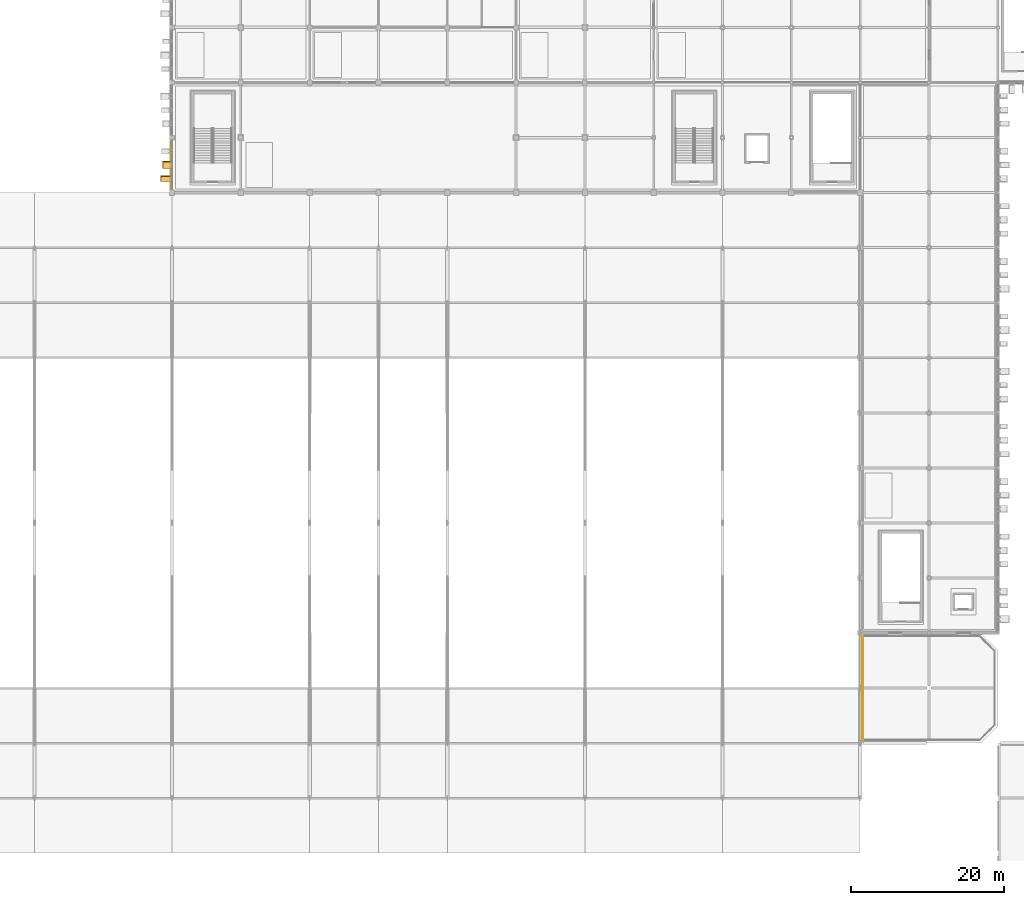
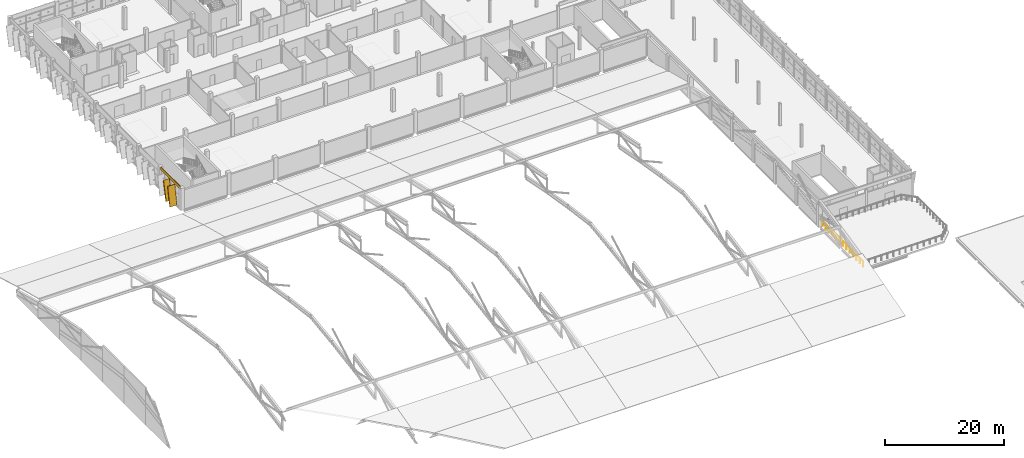
# One storey, part 113 of 124: 3 coverings, 2 shading devices, 1 railing.
"""IFC4 building model written with IfcOpenShell, lengths in metres."""

from ifc_helpers import new_model, si_unit, direction, frame, origin, origin_2d, place, context, subcontext, project, spatial, rectangle, circle, extrude, material, layer, layer_set, material_profile, profile_set, type_object, element, save


model = new_model("IFC4")

# Units and contexts
model_context = context("Model", 3, precision=1e-05, world=origin(), true_north=direction((0.0, 1.0)))
body_context = subcontext(model_context, "Body", "Model", "MODEL_VIEW")
ifc_project = project(units=[si_unit("LENGTHUNIT", "METRE"), si_unit("AREAUNIT", "SQUARE_METRE"), si_unit("VOLUMEUNIT", "CUBIC_METRE"), si_unit("PLANEANGLEUNIT", "RADIAN"), si_unit("MASSUNIT", "GRAM", prefix="KILO")], contexts=[model_context])

# Site, building, storey
site_placement = place(None, origin())
site = spatial("IfcSite", under=ifc_project, at=site_placement, CompositionType="ELEMENT")
building_placement = place(site_placement, origin())
building = spatial("IfcBuilding", under=site, at=building_placement, Name="Celestram Park Convention Centre", CompositionType="ELEMENT")
storey_placement = place(building_placement, frame((0.0, 0.0, 15.300048828125)))
storey = spatial("IfcBuildingStorey", under=building, at=storey_placement, Name="L03", CompositionType="ELEMENT", Elevation=15.300048828125)

# Coverings
ifc_material_1 = material(Name="Anodised Bronze Aluminium Spandrel Cladding", Category="aluminium")
ifc_layer_1 = layer(ifc_material_1, 0.050048828125)
ifc_layer_set_1 = layer_set([ifc_layer_1], Name="Anodised Bronze Aluminium Spandrel Cladding")
covering_type_1 = type_object("IfcCoveringType", Name="ARC-COV-CLD060", PredefinedType="CLADDING", material=ifc_layer_set_1)
covering_1_placement = place(storey_placement, frame((35.919921875, 111.60009765625, 3.9140625), z_axis=(0.0, 0.0, 1.0), x_axis=(0.0, 1.0, 0.0)))
element("IfcCovering", 1, at=covering_1_placement, inside=storey, type_object=covering_type_1, Name="Bronze spandrel cladding CL-L03-195", PredefinedType="CLADDING", context=body_context, shape_type="SweptSolid", body=[
    extrude(rectangle(XDim=6.553955078125, YDim=0.1201171875, at=origin_2d()), origin(), (0.0, 0.0, 1.0), 0.5859375),
])
ifc_material_2 = material(Name="Timber-Toned Anodised Aluminium Alloy 6063-T6", Category="wood")
ifc_material_profile_1 = material_profile(ifc_material_2, rectangle(XDim=1.1201171875, YDim=0.090087890625, at=origin_2d()), Name="REED1120X90")
ifc_profile_set_1 = profile_set([ifc_material_profile_1], Name="Timber-Toned Anodised Aluminium Alloy 6063-T6")
covering_type_2 = type_object("IfcCoveringType", Name="ARC-COV-FIN1120", PredefinedType="CLADDING", material=ifc_profile_set_1)
covering_2_placement = place(storey_placement, frame((35.360107421875, 111.1748046875, 0.057861328125), z_axis=(0.0, 0.23182731226, 0.972756956948), x_axis=(-1.0, 0.0, 0.0)))
element("IfcCovering", 2, at=covering_2_placement, inside=storey, type_object=covering_type_2, Name="Leaning timber-toned reed fin RFN-L03-0614", PredefinedType="CLADDING", context=body_context, shape_type="SweptSolid", body=[
    extrude(rectangle(XDim=1.1201171875, YDim=0.090087890625, at=origin_2d()), origin(), (0.0, 0.0, 1.0), 3.8837890625),
])
ifc_material_profile_2 = material_profile(ifc_material_2, rectangle(XDim=1.419921875, YDim=0.090087890625, at=origin_2d()), Name="REED1420X90")
ifc_profile_set_2 = profile_set([ifc_material_profile_2], Name="Timber-Toned Anodised Aluminium Alloy 6063-T6")
covering_type_3 = type_object("IfcCoveringType", Name="ARC-COV-FIN1420", PredefinedType="CLADDING", material=ifc_profile_set_2)
covering_3_placement = place(storey_placement, frame((35.2099609375, 109.474365234375, 0.036865234375), z_axis=(0.0, 0.180533625065, 0.98356881316), x_axis=(-1.0, 0.0, 0.0)))
element("IfcCovering", 3, at=covering_3_placement, inside=storey, type_object=covering_type_3, Name="Leaning timber-toned reed fin RFN-L03-0613", PredefinedType="CLADDING", context=body_context, shape_type="SweptSolid", body=[
    extrude(rectangle(XDim=1.419921875, YDim=0.090087890625, at=origin_2d()), origin(), (0.0, 0.0, 1.0), 3.8837890625),
])

# Shading devices
ifc_material_3 = material(Name="Anodised Bronze Aluminium Alloy 6063-T6", Category="aluminium")
ifc_material_profile_3 = material_profile(ifc_material_3, rectangle(XDim=1.280029296875, YDim=0.080078125, at=origin_2d()), Name="FIN1280X80")
ifc_profile_set_3 = profile_set([ifc_material_profile_3], Name="Anodised Bronze Aluminium Alloy 6063-T6")
shading_device_type = type_object("IfcShadingDeviceType", Name="ARC-FIN-BZ1280", PredefinedType="USERDEFINED", material=ifc_profile_set_3)
for number, where, z_axis, x_axis, name in (
    (4, (35.2099609375, 109.474365234375, 0.036865234375), (0.0, 0.180533625065, 0.98356881316), (-1.0, 0.0, 0.0), "Expressive solar fin FN-L03-0613"),
    (5, (35.360107421875, 111.1748046875, 0.057861328125), (0.0, 0.23182731226, 0.972756956948), (-1.0, 0.0, 0.0), "Expressive solar fin FN-L03-0614"),
):
    element("IfcShadingDevice", number, at=place(storey_placement, frame(where, z_axis=z_axis, x_axis=x_axis)), inside=storey, type_object=shading_device_type, Name=name, ObjectType="SOLAR_FIN", PredefinedType="USERDEFINED", context=body_context, shape_type="SweptSolid", body=[
        extrude(rectangle(XDim=1.280029296875, YDim=0.080078125, at=origin_2d()), origin(), (0.0, 0.0, 1.0), 3.8837890625),
    ])

# Railing
ifc_material_4 = material(Name="Stainless Steel AISI 316L & Laminated Glass", Category="steel")
ifc_layer_2 = layer(ifc_material_4, 0.06005859375)
ifc_layer_set_2 = layer_set([ifc_layer_2], Name="Stainless Steel AISI 316L & Laminated Glass")
railing_type = type_object("IfcRailingType", Name="ARC-RL-GRD1120", PredefinedType="GUARDRAIL", material=ifc_layer_set_2)
railing_placement = place(storey_placement, frame((126.39990234375, 36.39990234375, 0.0)))
element("IfcRailing", 6, at=railing_placement, inside=storey, type_object=railing_type, Name="Terrace perimeter safety guard RL-L03-TG001", PredefinedType="GUARDRAIL", context=body_context, shape_type="SweptSolid", body=[
    extrude(circle(Radius=0.02392578125, at=origin_2d()), frame((0.0, 0.0, 1.09619140625), z_axis=(0.0, 1.0, 0.0), x_axis=(-1.0, 0.0, 0.0)), (0.0, 0.0, 1.0), 13.60009765625),
    extrude(circle(Radius=0.02099609375, at=origin_2d()), origin(), (0.0, 0.0, 1.0), 1.072021484375),
    extrude(circle(Radius=0.02099609375, at=origin_2d()), frame((0.0, 1.13330078125, 0.0)), (0.0, 0.0, 1.0), 1.072021484375),
    extrude(circle(Radius=0.02099609375, at=origin_2d()), frame((0.0, 2.2666015625, 0.0)), (0.0, 0.0, 1.0), 1.072021484375),
    extrude(circle(Radius=0.02099609375, at=origin_2d()), frame((0.0, 3.39990234375, 0.0)), (0.0, 0.0, 1.0), 1.072021484375),
    extrude(circle(Radius=0.02099609375, at=origin_2d()), frame((0.0, 4.533447265625, 0.0)), (0.0, 0.0, 1.0), 1.072021484375),
    extrude(circle(Radius=0.02099609375, at=origin_2d()), frame((0.0, 5.666748046875, 0.0)), (0.0, 0.0, 1.0), 1.072021484375),
    extrude(circle(Radius=0.02099609375, at=origin_2d()), frame((0.0, 6.800048828125, 0.0)), (0.0, 0.0, 1.0), 1.072021484375),
    extrude(circle(Radius=0.02099609375, at=origin_2d()), frame((0.0, 7.933349609375, 0.0)), (0.0, 0.0, 1.0), 1.072021484375),
    extrude(circle(Radius=0.02099609375, at=origin_2d()), frame((0.0, 9.066650390625, 0.0)), (0.0, 0.0, 1.0), 1.072021484375),
    extrude(circle(Radius=0.02099609375, at=origin_2d()), frame((0.0, 10.2001953125, 0.0)), (0.0, 0.0, 1.0), 1.072021484375),
    extrude(circle(Radius=0.02099609375, at=origin_2d()), frame((0.0, 11.33349609375, 0.0)), (0.0, 0.0, 1.0), 1.072021484375),
    extrude(circle(Radius=0.02099609375, at=origin_2d()), frame((0.0, 12.466796875, 0.0)), (0.0, 0.0, 1.0), 1.072021484375),
    extrude(circle(Radius=0.02099609375, at=origin_2d()), frame((0.0, 13.60009765625, 0.0)), (0.0, 0.0, 1.0), 1.072021484375),
])

save(model, "model.ifc")
